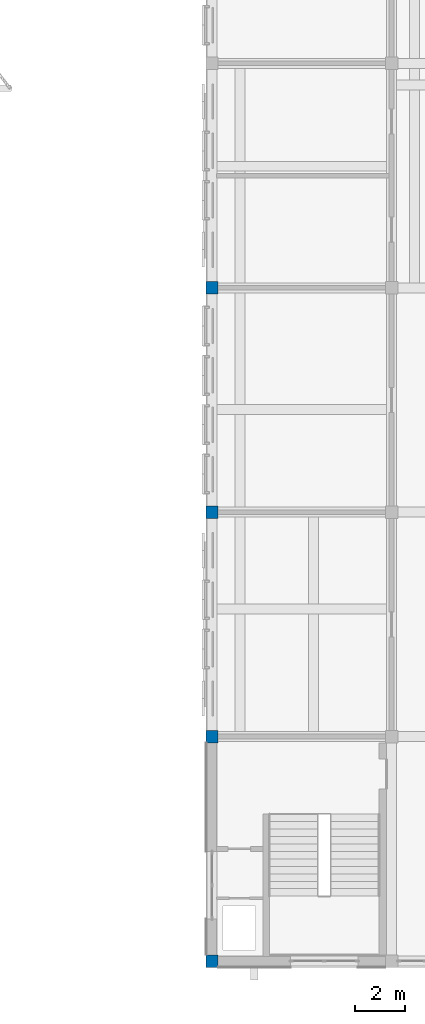
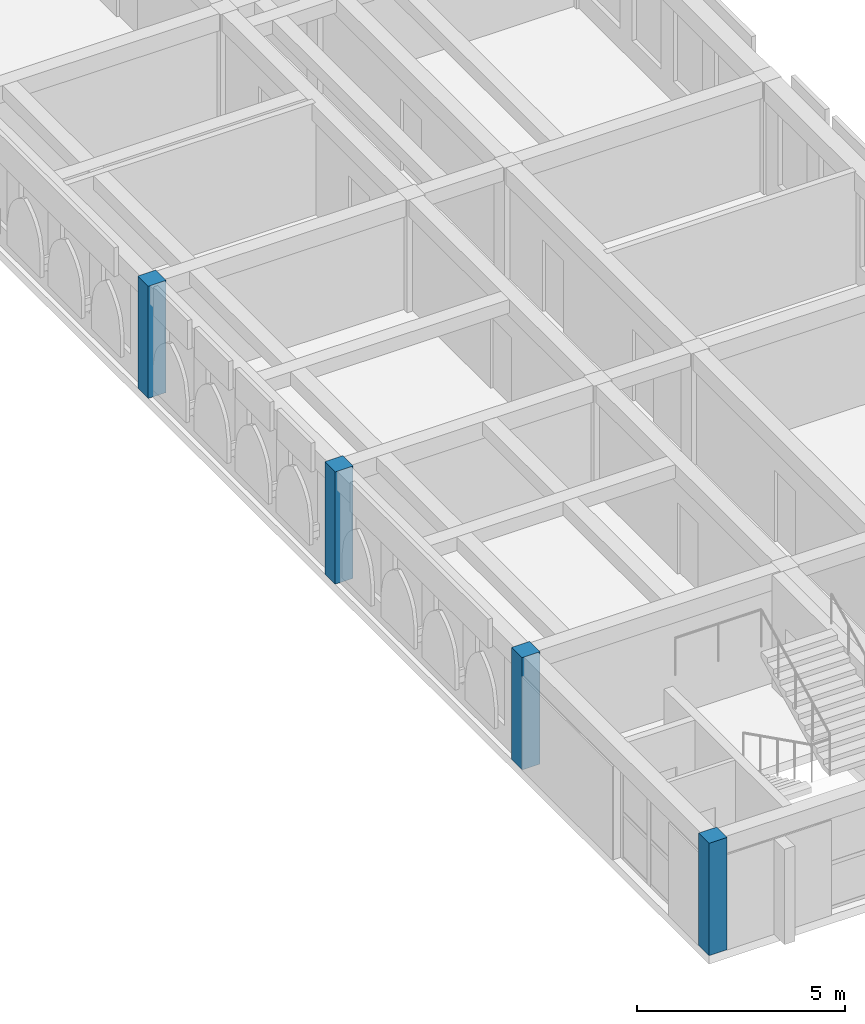
# One storey, part 1 of 50: 4 columns.
"""IFC4 building model written with IfcOpenShell, lengths in metres."""

import ifcopenshell
import ifcopenshell.guid

model = None  # the IFC model being written
_history = None  # IfcOwnerHistory: only IFC2X3 demands one
_inside = {}  # id of a spatial element -> (the spatial element, [elements in it])
_under = {}  # id of a project, library or spatial element -> (it, [spatial elements below it])
_declared = {}  # id of a project -> (the project, [libraries it declares])
_typed = {}  # id of a type object -> (the type object, [elements of that type])
_made_of = {}  # id of a material, layer set ... -> (it, [elements and type objects made of it])


def new_model(schema):
    """Start an empty IFC model of exactly this schema.

    Asked for "IFC4X3", IfcOpenShell would pick the latest addendum, in which some entities
    have other attributes; the version numbers below select the first issue.
    IFC2X3 requires an IfcOwnerHistory on every rooted entity: one is made here for all.
    """
    global model, _history
    if schema == "IFC4X3":
        model = ifcopenshell.file(schema_version=(4, 3, 0, 0))
    else:
        model = ifcopenshell.file(schema=schema)
    _inside.clear()
    _under.clear()
    _declared.clear()
    _typed.clear()
    _made_of.clear()
    _history = None
    if model.schema == "IFC2X3":
        org = make("IfcOrganization", Name="unknown")
        user = make(
            "IfcPersonAndOrganization",
            ThePerson=make("IfcPerson", FamilyName="unknown"),
            TheOrganization=org,
        )
        app = make(
            "IfcApplication",
            ApplicationDeveloper=org,
            Version="unknown",
            ApplicationFullName="unknown",
            ApplicationIdentifier="unknown",
        )
        _history = make(
            "IfcOwnerHistory",
            OwningUser=user,
            OwningApplication=app,
            ChangeAction="ADDED",
            CreationDate=0,
        )
    return model


def make(cls, **values):
    """One entity of the class cls with the attributes given. An attribute that is None is left unset."""
    return model.create_entity(
        cls, **{name: value for name, value in values.items() if value is not None}
    )


def rooted(cls, **values):
    """An entity with a GlobalId (a new one), such as an element, a storey or a relation."""
    return make(cls, GlobalId=ifcopenshell.guid.new(), OwnerHistory=_history, **values)


def si_unit(unit_type, name, prefix=None):
    """IfcSIUnit, for example si_unit("LENGTHUNIT", "METRE", prefix="MILLI")."""
    return make("IfcSIUnit", UnitType=unit_type, Prefix=prefix, Name=name)


def assignment(units):
    """IfcUnitAssignment: the units of a project."""
    return None if units is None else make("IfcUnitAssignment", Units=units)


def point(xyz):
    """IfcCartesianPoint."""
    return None if xyz is None else make("IfcCartesianPoint", Coordinates=xyz)


def direction(xyz):
    """IfcDirection."""
    return None if xyz is None else make("IfcDirection", DirectionRatios=xyz)


def frame(location, z_axis=None, x_axis=None):
    """IfcAxis2Placement3D, a coordinate frame: its origin and axes. An axis left out is left unset."""
    return make(
        "IfcAxis2Placement3D",
        Location=point(location),
        Axis=direction(z_axis),
        RefDirection=direction(x_axis),
    )


def frame_2d(location, x_axis=None):
    """IfcAxis2Placement2D, a coordinate frame in the plane: its origin and x axis."""
    return make(
        "IfcAxis2Placement2D", Location=point(location), RefDirection=direction(x_axis)
    )


def origin():
    """The frame at (0, 0, 0) with its axes left unset."""
    return frame((0.0, 0.0, 0.0))


def origin_2d():
    """The frame at (0, 0) in the plane with its x axis left unset."""
    return frame_2d((0.0, 0.0))


def place(relative_to, where):
    """IfcLocalPlacement: puts the frame where relative to a parent placement (None: the world)."""
    return make(
        "IfcLocalPlacement", PlacementRelTo=relative_to, RelativePlacement=where
    )


def context(
    kind, dimensions, precision=None, world=None, true_north=None, identifier=None
):
    """IfcGeometricRepresentationContext, for example the 3D "Model" context."""
    return make(
        "IfcGeometricRepresentationContext",
        ContextIdentifier=identifier,
        ContextType=kind,
        CoordinateSpaceDimension=dimensions,
        Precision=precision,
        WorldCoordinateSystem=world,
        TrueNorth=true_north,
    )


def subcontext(parent, identifier, kind, view, scale=None):
    """IfcGeometricRepresentationSubContext, for example "Body" below "Model"."""
    return make(
        "IfcGeometricRepresentationSubContext",
        ContextIdentifier=identifier,
        ContextType=kind,
        ParentContext=parent,
        TargetScale=scale,
        TargetView=view,
    )


def project(units=None, contexts=None):
    """IfcProject with its units and contexts."""
    return rooted(
        "IfcProject",
        Name="project",
        RepresentationContexts=contexts,
        UnitsInContext=assignment(units),
    )


def spatial(cls, under=None, at=None, **own):
    """A site, building, storey or space (cls), placed at a placement, below another one or the project."""
    s = rooted(cls, ObjectPlacement=at, **own)
    if under is not None:
        _under.setdefault(under.id(), (under, []))[1].append(s)
    return s


def profile(cls, at=None, kind="AREA", **sizes):
    """A parametric profile (cls). Its sizes go by their IFC names, for example OverallWidth=200.0."""
    return make(cls, ProfileType=kind, Position=at, **sizes)


def rectangle(**sizes):
    """IfcRectangleProfileDef."""
    return profile("IfcRectangleProfileDef", **sizes)


def extrude(swept, where, along, depth):
    """IfcExtrudedAreaSolid: the profile swept, set in the frame where, extruded along a direction by depth."""
    return make(
        "IfcExtrudedAreaSolid",
        SweptArea=swept,
        Position=where,
        ExtrudedDirection=direction(along),
        Depth=depth,
    )


def shape(context_of_items, identifier, shape_type, items):
    """IfcShapeRepresentation: the items that make up one representation, for example the "Body"."""
    return make(
        "IfcShapeRepresentation",
        ContextOfItems=context_of_items,
        RepresentationIdentifier=identifier,
        RepresentationType=shape_type,
        Items=items,
    )


def material(Name=None, Category=None):
    """IfcMaterial."""
    return make("IfcMaterial", Name=Name, Category=Category)


def material_profile(
    of_material, cross_section, Name=None, Category=None, Priority=None
):
    """IfcMaterialProfile: a cross section and its material."""
    return make(
        "IfcMaterialProfile",
        Name=Name,
        Material=of_material,
        Profile=cross_section,
        Priority=Priority,
        Category=Category,
    )


def profile_set(profiles, Name=None, composite=None):
    """IfcMaterialProfileSet."""
    return make(
        "IfcMaterialProfileSet",
        Name=Name,
        MaterialProfiles=profiles,
        CompositeProfile=composite,
    )


def made_of(thing, what):
    """Note that an element or type object is made of a material, layer set ...; save() writes the relation."""
    if what is not None:
        _made_of.setdefault(what.id(), (what, []))[1].append(thing)
    return thing


def type_object(cls, material=None, **own):
    """A type object (cls), such as IfcWallType, which elements share."""
    return made_of(rooted(cls, **own), material)


def element(
    cls,
    number,
    at=None,
    inside=None,
    cuts=None,
    type_object=None,
    material=None,
    context=None,
    identifier="Body",
    shape_type=None,
    held_by="IfcProductDefinitionShape",
    body=None,
    shapes=None,
    **own,
):
    """One element of the class cls, such as IfcWall. Its Tag is "e" and its number.

    at: its placement. inside: the storey or other place that contains it. cuts: it is an
    opening in that element (IfcRelVoidsElement). A single representation is given by context,
    identifier, shape_type and body (its items); several are given by shapes. held_by: the class
    of the entity that holds the representations. save() writes the other relations.
    """
    e = rooted(cls, Tag="e%d" % number, ObjectPlacement=at, **own)
    if body is not None:
        shapes = [shape(context, identifier, shape_type, body)]
    if shapes is not None:
        e.Representation = make(held_by, Representations=shapes)
    if inside is not None:
        _inside.setdefault(inside.id(), (inside, []))[1].append(e)
    if cuts is not None:
        rooted(
            "IfcRelVoidsElement", RelatingBuildingElement=cuts, RelatedOpeningElement=e
        )
    if type_object is not None:
        _typed.setdefault(type_object.id(), (type_object, []))[1].append(e)
    return made_of(e, material)


def aggregate(whole, parts):
    """IfcRelAggregates: a whole, such as a stair, and the parts it consists of."""
    return rooted("IfcRelAggregates", RelatingObject=whole, RelatedObjects=parts)


def save(model, path):
    """Write the relations noted so far, then the file.

    IfcRelAggregates (storeys below a building ...), IfcRelContainedInSpatialStructure (elements
    in a storey), IfcRelDefinesByType, IfcRelAssociatesMaterial and IfcRelDeclares: one each for
    every whole, place, type object, material and project.
    """
    for whole, parts in _under.values():
        aggregate(whole, parts)
    for where, things in _inside.values():
        rooted(
            "IfcRelContainedInSpatialStructure",
            RelatedElements=things,
            RelatingStructure=where,
        )
    for kind, things in _typed.values():
        rooted("IfcRelDefinesByType", RelatedObjects=things, RelatingType=kind)
    for what, things in _made_of.values():
        rooted("IfcRelAssociatesMaterial", RelatedObjects=things, RelatingMaterial=what)
    for by, libraries in _declared.values():
        rooted("IfcRelDeclares", RelatingContext=by, RelatedDefinitions=libraries)
    model.write(path)


model = new_model("IFC4")

# Units and contexts
model_context = context("Model", 3, precision=1e-05, world=origin(), true_north=direction((0.0, 1.0)))
body_context = subcontext(model_context, "Body", "Model", "MODEL_VIEW")
ifc_project = project(units=[si_unit("LENGTHUNIT", "METRE"), si_unit("AREAUNIT", "SQUARE_METRE"), si_unit("VOLUMEUNIT", "CUBIC_METRE"), si_unit("PLANEANGLEUNIT", "RADIAN"), si_unit("MASSUNIT", "GRAM", prefix="KILO")], contexts=[model_context])

# Site, building, storey
site_placement = place(None, origin())
site = spatial("IfcSite", under=ifc_project, at=site_placement, CompositionType="ELEMENT")
building_placement = place(site_placement, origin())
building = spatial("IfcBuilding", under=site, at=building_placement, Name="Elbe Cascade School", CompositionType="ELEMENT")
storey_placement = place(building_placement, frame((0.0, 0.0, 15.300048828125)))
storey = spatial("IfcBuildingStorey", under=building, at=storey_placement, Name="L04", CompositionType="ELEMENT", Elevation=15.300048828125)

# Columns
ifc_material = material(Name="Concrete C30/37", Category="concrete")
ifc_material_profile = material_profile(ifc_material, rectangle(XDim=0.5, YDim=0.5, at=origin_2d()), Name="RC 500x500")
ifc_profile_set = profile_set([ifc_material_profile], Name="Concrete C30/37")
column_type = type_object("IfcColumnType", Name="RC 500x500 column", PredefinedType="COLUMN", material=ifc_profile_set)
for number, where, z_axis, x_axis, name in (
    (1, (69.0, 6.0, 0.0), (0.0, 0.0, 1.0), (1.0, 0.0, 0.0), "RC 500x500 column C1"),
    (2, (69.0, 15.0, 0.0), (0.0, 0.0, 1.0), (1.0, 0.0, 0.0), "RC 500x500 column C1"),
    (3, (69.0, 24.0, 0.0), (0.0, 0.0, 1.0), (1.0, 0.0, 0.0), "RC 500x500 column C1"),
    (4, (69.0, 33.0, 0.0), (0.0, 0.0, 1.0), (1.0, 0.0, 0.0), "RC 500x500 column C1"),
):
    element("IfcColumn", number, at=place(storey_placement, frame(where, z_axis=z_axis, x_axis=x_axis)), inside=storey, type_object=column_type, Name=name, PredefinedType="COLUMN", context=body_context, shape_type="SweptSolid", body=[
        extrude(rectangle(XDim=0.5, YDim=0.5, at=origin_2d()), origin(), (0.0, 0.0, 1.0), 3.300048828125),
    ])

save(model, "model.ifc")
